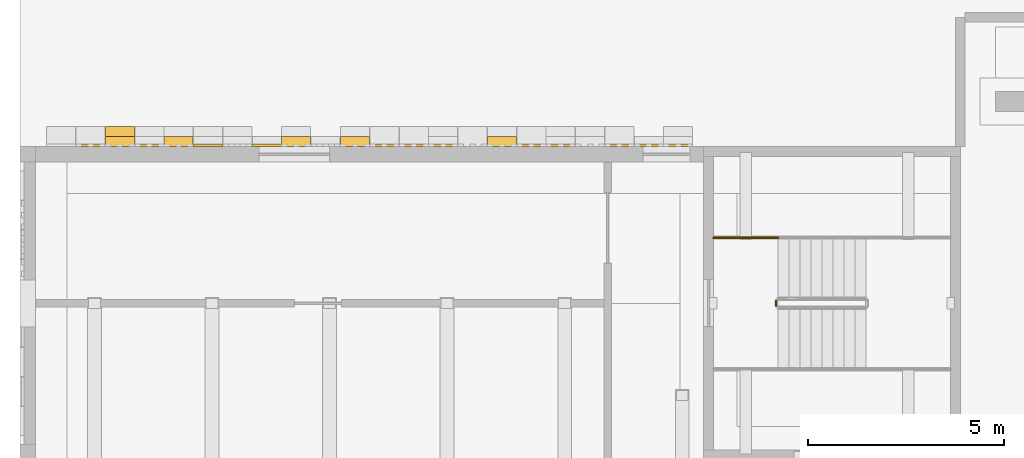
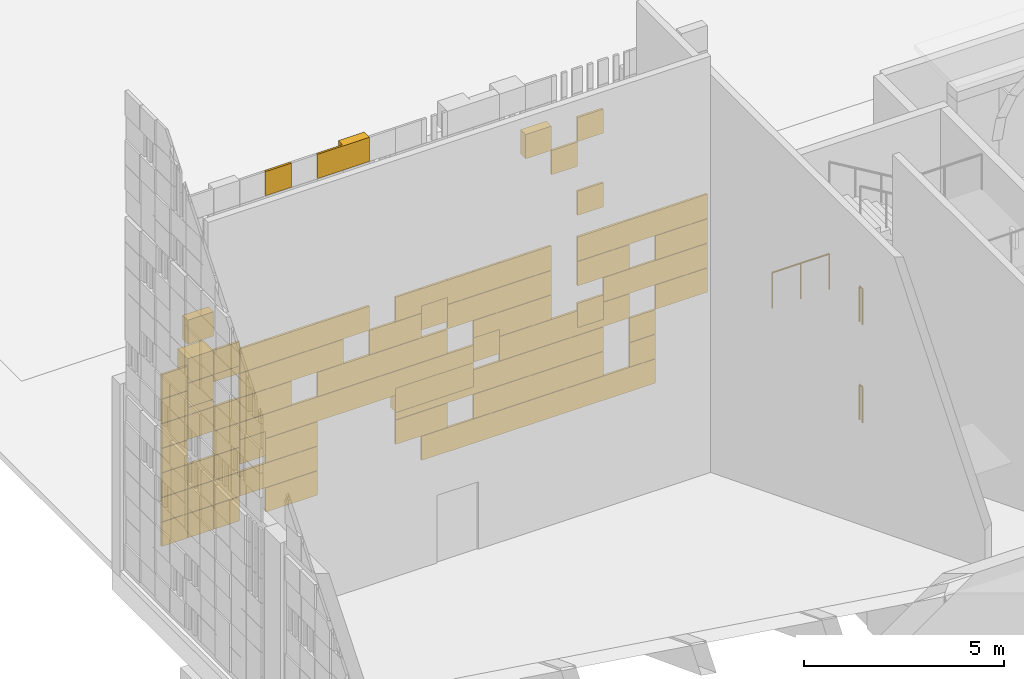
# One storey, part 116 of 125: 3 railings, 2 coverings.
"""IFC4 building model written with IfcOpenShell, lengths in metres."""

from ifc_helpers import new_model, si_unit, direction, frame, origin, origin_2d, place, context, subcontext, project, spatial, rectangle, circle, extrude, material, layer, layer_set, type_object, element, save


model = new_model("IFC4")

# Units and contexts
model_context = context("Model", 3, precision=1e-05, world=origin(), true_north=direction((0.0, 1.0)))
body_context = subcontext(model_context, "Body", "Model", "MODEL_VIEW")
ifc_project = project(units=[si_unit("LENGTHUNIT", "METRE"), si_unit("AREAUNIT", "SQUARE_METRE"), si_unit("VOLUMEUNIT", "CUBIC_METRE"), si_unit("PLANEANGLEUNIT", "RADIAN"), si_unit("MASSUNIT", "GRAM", prefix="KILO")], contexts=[model_context])

# Site, building, storey
site_placement = place(None, origin())
site = spatial("IfcSite", under=ifc_project, at=site_placement, CompositionType="ELEMENT")
building_placement = place(site_placement, origin())
building = spatial("IfcBuilding", under=site, at=building_placement, Name="Sun Court Science Centre", CompositionType="ELEMENT")
storey_placement = place(building_placement, origin())
storey = spatial("IfcBuildingStorey", under=building, at=storey_placement, Name="L00", CompositionType="ELEMENT", Elevation=0.0)

# Railings
ifc_material_1 = material(Name="Steel S275", Category="steel")
railing_type = type_object("IfcRailingType", Name="Guard 1100 steel balustrade", PredefinedType="GUARDRAIL", material=ifc_material_1)
railing_1_placement = place(storey_placement, frame((19.298095703125, 67.925048828125, 3.0)))
element("IfcRailing", 1, at=railing_1_placement, inside=storey, type_object=railing_type, Name="L00 ST2 stair guard 6", PredefinedType="GUARDRAIL", context=body_context, shape_type="SweptSolid", body=[
    extrude(circle(Radius=0.02392578125, at=origin_2d()), frame((0.0, 0.0, 1.076171875), z_axis=(0.0, 1.0, 0.0), x_axis=(-1.0, 0.0, 0.0)), (0.0, 0.0, 1.0), 0.14990234375),
    extrude(circle(Radius=0.02099609375, at=origin_2d()), origin(), (0.0, 0.0, 1.0), 1.052001953125),
    extrude(circle(Radius=0.02099609375, at=origin_2d()), frame((0.0, 0.14990234375, 0.0)), (0.0, 0.0, 1.0), 1.052001953125),
])
railing_2_placement = place(storey_placement, frame((17.699951171875, 69.673095703125, 3.0)))
element("IfcRailing", 2, at=railing_2_placement, inside=storey, type_object=railing_type, Name="L00 ST2 stair guard 8", PredefinedType="GUARDRAIL", context=body_context, shape_type="SweptSolid", body=[
    extrude(circle(Radius=0.02392578125, at=origin_2d()), frame((0.0, 0.0, 1.076171875), z_axis=(1.0, 0.0, 0.0), x_axis=(0.0, 1.0, 0.0)), (0.0, 0.0, 1.0), 1.64794921875),
    extrude(circle(Radius=0.02099609375, at=origin_2d()), origin(), (0.0, 0.0, 1.0), 1.052001953125),
    extrude(circle(Radius=0.02099609375, at=origin_2d()), frame((0.823974609375, 0.0, 0.0)), (0.0, 0.0, 1.0), 1.052001953125),
    extrude(circle(Radius=0.02099609375, at=origin_2d()), frame((1.64794921875, 0.0, 0.0)), (0.0, 0.0, 1.0), 1.052001953125),
])
railing_3_placement = place(storey_placement, frame((19.298095703125, 67.925048828125, 0.0)))
element("IfcRailing", 3, at=railing_3_placement, inside=storey, type_object=railing_type, Name="L00 ST2 stair guard 14", PredefinedType="GUARDRAIL", context=body_context, shape_type="SweptSolid", body=[
    extrude(circle(Radius=0.02392578125, at=origin_2d()), frame((0.0, 0.0, 1.076171875), z_axis=(0.0, 1.0, 0.0), x_axis=(-1.0, 0.0, 0.0)), (0.0, 0.0, 1.0), 0.14990234375),
    extrude(circle(Radius=0.02099609375, at=origin_2d()), origin(), (0.0, 0.0, 1.0), 1.052001953125),
    extrude(circle(Radius=0.02099609375, at=origin_2d()), frame((0.0, 0.14990234375, 0.0)), (0.0, 0.0, 1.0), 1.052001953125),
])

# Coverings
ifc_material_2 = material(Name="Red sandstone", Category="masonry")
ifc_layer_1 = layer(ifc_material_2, 0.06005859375)
ifc_layer_set_1 = layer_set([ifc_layer_1], Name="Red sandstone")
covering_type_1 = type_object("IfcCoveringType", Name="Red sandstone wall cladding 750", PredefinedType="CLADDING", material=ifc_layer_set_1)
covering_1_placement = place(storey_placement, origin())
element("IfcCovering", 4, at=covering_1_placement, inside=storey, type_object=covering_type_1, Name="Red sandstone wall cladding theatre-STAGE-north face-L00 L00", PredefinedType="CLADDING", context=body_context, shape_type="SweptSolid", body=[
    extrude(rectangle(XDim=0.739990234375, YDim=0.06005859375, at=origin_2d()), frame((1.800048828125, 72.030029296875, 0.0048828125), z_axis=(0.0, 0.0, 1.0), x_axis=(1.0, 0.0, 0.0)), (0.0, 0.0, 1.0), 0.739990234375),
    extrude(rectangle(XDim=0.739990234375, YDim=0.06005859375, at=origin_2d()), frame((2.550048828125, 72.030029296875, 0.0048828125), z_axis=(0.0, 0.0, 1.0), x_axis=(1.0, 0.0, 0.0)), (0.0, 0.0, 1.0), 0.739990234375),
    extrude(rectangle(XDim=0.739990234375, YDim=0.06005859375, at=origin_2d()), frame((3.300048828125, 72.030029296875, 0.0048828125), z_axis=(0.0, 0.0, 1.0), x_axis=(1.0, 0.0, 0.0)), (0.0, 0.0, 1.0), 0.739990234375),
    extrude(rectangle(XDim=0.739990234375, YDim=0.06005859375, at=origin_2d()), frame((4.800048828125, 72.030029296875, 0.0048828125), z_axis=(0.0, 0.0, 1.0), x_axis=(1.0, 0.0, 0.0)), (0.0, 0.0, 1.0), 0.739990234375),
    extrude(rectangle(XDim=0.739990234375, YDim=0.06005859375, at=origin_2d()), frame((5.550048828125, 72.030029296875, 0.0048828125), z_axis=(0.0, 0.0, 1.0), x_axis=(1.0, 0.0, 0.0)), (0.0, 0.0, 1.0), 0.739990234375),
    extrude(rectangle(XDim=0.739990234375, YDim=0.06005859375, at=origin_2d()), frame((9.300048828125, 72.030029296875, 0.0048828125), z_axis=(0.0, 0.0, 1.0), x_axis=(1.0, 0.0, 0.0)), (0.0, 0.0, 1.0), 0.739990234375),
    extrude(rectangle(XDim=0.739990234375, YDim=0.06005859375, at=origin_2d()), frame((10.050048828125, 72.030029296875, 0.0048828125), z_axis=(0.0, 0.0, 1.0), x_axis=(1.0, 0.0, 0.0)), (0.0, 0.0, 1.0), 0.739990234375),
    extrude(rectangle(XDim=0.739990234375, YDim=0.06005859375, at=origin_2d()), frame((10.800048828125, 72.030029296875, 0.0048828125), z_axis=(0.0, 0.0, 1.0), x_axis=(1.0, 0.0, 0.0)), (0.0, 0.0, 1.0), 0.739990234375),
    extrude(rectangle(XDim=0.739990234375, YDim=0.06005859375, at=origin_2d()), frame((11.550048828125, 72.030029296875, 0.0048828125), z_axis=(0.0, 0.0, 1.0), x_axis=(1.0, 0.0, 0.0)), (0.0, 0.0, 1.0), 0.739990234375),
    extrude(rectangle(XDim=0.739990234375, YDim=0.06005859375, at=origin_2d()), frame((12.300048828125, 72.030029296875, 0.0048828125), z_axis=(0.0, 0.0, 1.0), x_axis=(1.0, 0.0, 0.0)), (0.0, 0.0, 1.0), 0.739990234375),
    extrude(rectangle(XDim=0.739990234375, YDim=0.06005859375, at=origin_2d()), frame((13.050048828125, 72.030029296875, 0.0048828125), z_axis=(0.0, 0.0, 1.0), x_axis=(1.0, 0.0, 0.0)), (0.0, 0.0, 1.0), 0.739990234375),
    extrude(rectangle(XDim=0.739990234375, YDim=0.06005859375, at=origin_2d()), frame((13.800048828125, 72.030029296875, 0.0048828125), z_axis=(0.0, 0.0, 1.0), x_axis=(1.0, 0.0, 0.0)), (0.0, 0.0, 1.0), 0.739990234375),
    extrude(rectangle(XDim=0.739990234375, YDim=0.06005859375, at=origin_2d()), frame((14.550048828125, 72.030029296875, 0.0048828125), z_axis=(0.0, 0.0, 1.0), x_axis=(1.0, 0.0, 0.0)), (0.0, 0.0, 1.0), 0.739990234375),
    extrude(rectangle(XDim=0.739990234375, YDim=0.06005859375, at=origin_2d()), frame((15.300048828125, 72.030029296875, 0.0048828125), z_axis=(0.0, 0.0, 1.0), x_axis=(1.0, 0.0, 0.0)), (0.0, 0.0, 1.0), 0.739990234375),
    extrude(rectangle(XDim=0.739990234375, YDim=0.06005859375, at=origin_2d()), frame((1.800048828125, 72.030029296875, 0.7548828125), z_axis=(0.0, 0.0, 1.0), x_axis=(1.0, 0.0, 0.0)), (0.0, 0.0, 1.0), 0.739990234375),
    extrude(rectangle(XDim=0.739990234375, YDim=0.06005859375, at=origin_2d()), frame((2.550048828125, 72.030029296875, 0.7548828125), z_axis=(0.0, 0.0, 1.0), x_axis=(1.0, 0.0, 0.0)), (0.0, 0.0, 1.0), 0.739990234375),
    extrude(rectangle(XDim=0.739990234375, YDim=0.06005859375, at=origin_2d()), frame((3.300048828125, 72.030029296875, 0.7548828125), z_axis=(0.0, 0.0, 1.0), x_axis=(1.0, 0.0, 0.0)), (0.0, 0.0, 1.0), 0.739990234375),
    extrude(rectangle(XDim=0.739990234375, YDim=0.06005859375, at=origin_2d()), frame((4.050048828125, 72.030029296875, 0.7548828125), z_axis=(0.0, 0.0, 1.0), x_axis=(1.0, 0.0, 0.0)), (0.0, 0.0, 1.0), 0.739990234375),
    extrude(rectangle(XDim=0.739990234375, YDim=0.06005859375, at=origin_2d()), frame((4.800048828125, 72.030029296875, 0.7548828125), z_axis=(0.0, 0.0, 1.0), x_axis=(1.0, 0.0, 0.0)), (0.0, 0.0, 1.0), 0.739990234375),
    extrude(rectangle(XDim=0.739990234375, YDim=0.06005859375, at=origin_2d()), frame((5.550048828125, 72.030029296875, 0.7548828125), z_axis=(0.0, 0.0, 1.0), x_axis=(1.0, 0.0, 0.0)), (0.0, 0.0, 1.0), 0.739990234375),
    extrude(rectangle(XDim=0.739990234375, YDim=0.06005859375, at=origin_2d()), frame((8.550048828125, 72.030029296875, 0.7548828125), z_axis=(0.0, 0.0, 1.0), x_axis=(1.0, 0.0, 0.0)), (0.0, 0.0, 1.0), 0.739990234375),
    extrude(rectangle(XDim=0.739990234375, YDim=0.06005859375, at=origin_2d()), frame((9.300048828125, 72.030029296875, 0.7548828125), z_axis=(0.0, 0.0, 1.0), x_axis=(1.0, 0.0, 0.0)), (0.0, 0.0, 1.0), 0.739990234375),
    extrude(rectangle(XDim=0.739990234375, YDim=0.06005859375, at=origin_2d()), frame((10.800048828125, 72.030029296875, 0.7548828125), z_axis=(0.0, 0.0, 1.0), x_axis=(1.0, 0.0, 0.0)), (0.0, 0.0, 1.0), 0.739990234375),
    extrude(rectangle(XDim=0.739990234375, YDim=0.06005859375, at=origin_2d()), frame((11.550048828125, 72.030029296875, 0.7548828125), z_axis=(0.0, 0.0, 1.0), x_axis=(1.0, 0.0, 0.0)), (0.0, 0.0, 1.0), 0.739990234375),
    extrude(rectangle(XDim=0.739990234375, YDim=0.06005859375, at=origin_2d()), frame((12.300048828125, 72.030029296875, 0.7548828125), z_axis=(0.0, 0.0, 1.0), x_axis=(1.0, 0.0, 0.0)), (0.0, 0.0, 1.0), 0.739990234375),
    extrude(rectangle(XDim=0.739990234375, YDim=0.06005859375, at=origin_2d()), frame((13.050048828125, 72.030029296875, 0.7548828125), z_axis=(0.0, 0.0, 1.0), x_axis=(1.0, 0.0, 0.0)), (0.0, 0.0, 1.0), 0.739990234375),
    extrude(rectangle(XDim=0.739990234375, YDim=0.06005859375, at=origin_2d()), frame((13.800048828125, 72.030029296875, 0.7548828125), z_axis=(0.0, 0.0, 1.0), x_axis=(1.0, 0.0, 0.0)), (0.0, 0.0, 1.0), 0.739990234375),
    extrude(rectangle(XDim=0.739990234375, YDim=0.06005859375, at=origin_2d()), frame((15.300048828125, 72.030029296875, 0.7548828125), z_axis=(0.0, 0.0, 1.0), x_axis=(1.0, 0.0, 0.0)), (0.0, 0.0, 1.0), 0.739990234375),
    extrude(rectangle(XDim=0.739990234375, YDim=0.06005859375, at=origin_2d()), frame((1.800048828125, 72.030029296875, 1.5048828125), z_axis=(0.0, 0.0, 1.0), x_axis=(1.0, 0.0, 0.0)), (0.0, 0.0, 1.0), 0.739990234375),
    extrude(rectangle(XDim=0.739990234375, YDim=0.06005859375, at=origin_2d()), frame((2.550048828125, 72.030029296875, 1.5048828125), z_axis=(0.0, 0.0, 1.0), x_axis=(1.0, 0.0, 0.0)), (0.0, 0.0, 1.0), 0.739990234375),
    extrude(rectangle(XDim=0.739990234375, YDim=0.06005859375, at=origin_2d()), frame((3.300048828125, 72.030029296875, 1.5048828125), z_axis=(0.0, 0.0, 1.0), x_axis=(1.0, 0.0, 0.0)), (0.0, 0.0, 1.0), 0.739990234375),
    extrude(rectangle(XDim=0.739990234375, YDim=0.06005859375, at=origin_2d()), frame((4.800048828125, 72.030029296875, 1.5048828125), z_axis=(0.0, 0.0, 1.0), x_axis=(1.0, 0.0, 0.0)), (0.0, 0.0, 1.0), 0.739990234375),
    extrude(rectangle(XDim=0.739990234375, YDim=0.06005859375, at=origin_2d()), frame((5.550048828125, 72.030029296875, 1.5048828125), z_axis=(0.0, 0.0, 1.0), x_axis=(1.0, 0.0, 0.0)), (0.0, 0.0, 1.0), 0.739990234375),
    extrude(rectangle(XDim=0.739990234375, YDim=0.06005859375, at=origin_2d()), frame((8.550048828125, 72.030029296875, 1.5048828125), z_axis=(0.0, 0.0, 1.0), x_axis=(1.0, 0.0, 0.0)), (0.0, 0.0, 1.0), 0.739990234375),
    extrude(rectangle(XDim=0.739990234375, YDim=0.06005859375, at=origin_2d()), frame((9.300048828125, 72.030029296875, 1.5048828125), z_axis=(0.0, 0.0, 1.0), x_axis=(1.0, 0.0, 0.0)), (0.0, 0.0, 1.0), 0.739990234375),
    extrude(rectangle(XDim=0.739990234375, YDim=0.06005859375, at=origin_2d()), frame((10.050048828125, 72.030029296875, 1.5048828125), z_axis=(0.0, 0.0, 1.0), x_axis=(1.0, 0.0, 0.0)), (0.0, 0.0, 1.0), 0.739990234375),
    extrude(rectangle(XDim=0.739990234375, YDim=0.06005859375, at=origin_2d()), frame((10.800048828125, 72.030029296875, 1.5048828125), z_axis=(0.0, 0.0, 1.0), x_axis=(1.0, 0.0, 0.0)), (0.0, 0.0, 1.0), 0.739990234375),
    extrude(rectangle(XDim=0.739990234375, YDim=0.06005859375, at=origin_2d()), frame((11.550048828125, 72.030029296875, 1.5048828125), z_axis=(0.0, 0.0, 1.0), x_axis=(1.0, 0.0, 0.0)), (0.0, 0.0, 1.0), 0.739990234375),
    extrude(rectangle(XDim=0.739990234375, YDim=0.06005859375, at=origin_2d()), frame((12.300048828125, 72.030029296875, 1.5048828125), z_axis=(0.0, 0.0, 1.0), x_axis=(1.0, 0.0, 0.0)), (0.0, 0.0, 1.0), 0.739990234375),
    extrude(rectangle(XDim=0.739990234375, YDim=0.06005859375, at=origin_2d()), frame((13.050048828125, 72.030029296875, 1.5048828125), z_axis=(0.0, 0.0, 1.0), x_axis=(1.0, 0.0, 0.0)), (0.0, 0.0, 1.0), 0.739990234375),
    extrude(rectangle(XDim=0.739990234375, YDim=0.06005859375, at=origin_2d()), frame((13.800048828125, 72.030029296875, 1.5048828125), z_axis=(0.0, 0.0, 1.0), x_axis=(1.0, 0.0, 0.0)), (0.0, 0.0, 1.0), 0.739990234375),
    extrude(rectangle(XDim=0.739990234375, YDim=0.06005859375, at=origin_2d()), frame((15.300048828125, 72.030029296875, 1.5048828125), z_axis=(0.0, 0.0, 1.0), x_axis=(1.0, 0.0, 0.0)), (0.0, 0.0, 1.0), 0.739990234375),
    extrude(rectangle(XDim=0.739990234375, YDim=0.06005859375, at=origin_2d()), frame((1.800048828125, 72.030029296875, 2.2548828125), z_axis=(0.0, 0.0, 1.0), x_axis=(1.0, 0.0, 0.0)), (0.0, 0.0, 1.0), 0.739990234375),
    extrude(rectangle(XDim=0.739990234375, YDim=0.06005859375, at=origin_2d()), frame((3.300048828125, 72.030029296875, 2.2548828125), z_axis=(0.0, 0.0, 1.0), x_axis=(1.0, 0.0, 0.0)), (0.0, 0.0, 1.0), 0.739990234375),
    extrude(rectangle(XDim=0.739990234375, YDim=0.06005859375, at=origin_2d()), frame((4.050048828125, 72.030029296875, 2.2548828125), z_axis=(0.0, 0.0, 1.0), x_axis=(1.0, 0.0, 0.0)), (0.0, 0.0, 1.0), 0.739990234375),
    extrude(rectangle(XDim=0.739990234375, YDim=0.06005859375, at=origin_2d()), frame((4.800048828125, 72.030029296875, 2.2548828125), z_axis=(0.0, 0.0, 1.0), x_axis=(1.0, 0.0, 0.0)), (0.0, 0.0, 1.0), 0.739990234375),
    extrude(rectangle(XDim=0.739990234375, YDim=0.06005859375, at=origin_2d()), frame((5.550048828125, 72.030029296875, 2.2548828125), z_axis=(0.0, 0.0, 1.0), x_axis=(1.0, 0.0, 0.0)), (0.0, 0.0, 1.0), 0.739990234375),
    extrude(rectangle(XDim=0.739990234375, YDim=0.06005859375, at=origin_2d()), frame((6.300048828125, 72.030029296875, 2.2548828125), z_axis=(0.0, 0.0, 1.0), x_axis=(1.0, 0.0, 0.0)), (0.0, 0.0, 1.0), 0.739990234375),
    extrude(rectangle(XDim=0.739990234375, YDim=0.06005859375, at=origin_2d()), frame((7.050048828125, 72.030029296875, 2.2548828125), z_axis=(0.0, 0.0, 1.0), x_axis=(1.0, 0.0, 0.0)), (0.0, 0.0, 1.0), 0.739990234375),
    extrude(rectangle(XDim=0.739990234375, YDim=0.06005859375, at=origin_2d()), frame((7.800048828125, 72.030029296875, 2.2548828125), z_axis=(0.0, 0.0, 1.0), x_axis=(1.0, 0.0, 0.0)), (0.0, 0.0, 1.0), 0.739990234375),
    extrude(rectangle(XDim=0.739990234375, YDim=0.06005859375, at=origin_2d()), frame((8.550048828125, 72.030029296875, 2.2548828125), z_axis=(0.0, 0.0, 1.0), x_axis=(1.0, 0.0, 0.0)), (0.0, 0.0, 1.0), 0.739990234375),
    extrude(rectangle(XDim=0.739990234375, YDim=0.06005859375, at=origin_2d()), frame((9.300048828125, 72.030029296875, 2.2548828125), z_axis=(0.0, 0.0, 1.0), x_axis=(1.0, 0.0, 0.0)), (0.0, 0.0, 1.0), 0.739990234375),
    extrude(rectangle(XDim=0.739990234375, YDim=0.06005859375, at=origin_2d()), frame((10.050048828125, 72.030029296875, 2.2548828125), z_axis=(0.0, 0.0, 1.0), x_axis=(1.0, 0.0, 0.0)), (0.0, 0.0, 1.0), 0.739990234375),
    extrude(rectangle(XDim=0.739990234375, YDim=0.06005859375, at=origin_2d()), frame((11.550048828125, 72.030029296875, 2.2548828125), z_axis=(0.0, 0.0, 1.0), x_axis=(1.0, 0.0, 0.0)), (0.0, 0.0, 1.0), 0.739990234375),
    extrude(rectangle(XDim=0.739990234375, YDim=0.06005859375, at=origin_2d()), frame((12.300048828125, 72.030029296875, 2.2548828125), z_axis=(0.0, 0.0, 1.0), x_axis=(1.0, 0.0, 0.0)), (0.0, 0.0, 1.0), 0.739990234375),
    extrude(rectangle(XDim=0.739990234375, YDim=0.06005859375, at=origin_2d()), frame((13.050048828125, 72.030029296875, 2.2548828125), z_axis=(0.0, 0.0, 1.0), x_axis=(1.0, 0.0, 0.0)), (0.0, 0.0, 1.0), 0.739990234375),
    extrude(rectangle(XDim=0.739990234375, YDim=0.06005859375, at=origin_2d()), frame((13.800048828125, 72.030029296875, 2.2548828125), z_axis=(0.0, 0.0, 1.0), x_axis=(1.0, 0.0, 0.0)), (0.0, 0.0, 1.0), 0.739990234375),
    extrude(rectangle(XDim=0.739990234375, YDim=0.06005859375, at=origin_2d()), frame((14.550048828125, 72.030029296875, 2.2548828125), z_axis=(0.0, 0.0, 1.0), x_axis=(1.0, 0.0, 0.0)), (0.0, 0.0, 1.0), 0.739990234375),
    extrude(rectangle(XDim=0.739990234375, YDim=0.06005859375, at=origin_2d()), frame((16.050048828125, 72.030029296875, 2.2548828125), z_axis=(0.0, 0.0, 1.0), x_axis=(1.0, 0.0, 0.0)), (0.0, 0.0, 1.0), 0.739990234375),
    extrude(rectangle(XDim=0.739990234375, YDim=0.06005859375, at=origin_2d()), frame((16.800048828125, 72.030029296875, 2.2548828125), z_axis=(0.0, 0.0, 1.0), x_axis=(1.0, 0.0, 0.0)), (0.0, 0.0, 1.0), 0.739990234375),
    extrude(rectangle(XDim=0.739990234375, YDim=0.06005859375, at=origin_2d()), frame((1.800048828125, 72.030029296875, 3.0048828125), z_axis=(0.0, 0.0, 1.0), x_axis=(1.0, 0.0, 0.0)), (0.0, 0.0, 1.0), 0.739990234375),
    extrude(rectangle(XDim=0.739990234375, YDim=0.06005859375, at=origin_2d()), frame((2.550048828125, 72.030029296875, 3.0048828125), z_axis=(0.0, 0.0, 1.0), x_axis=(1.0, 0.0, 0.0)), (0.0, 0.0, 1.0), 0.739990234375),
    extrude(rectangle(XDim=0.739990234375, YDim=0.06005859375, at=origin_2d()), frame((3.300048828125, 72.030029296875, 3.0048828125), z_axis=(0.0, 0.0, 1.0), x_axis=(1.0, 0.0, 0.0)), (0.0, 0.0, 1.0), 0.739990234375),
    extrude(rectangle(XDim=0.739990234375, YDim=0.06005859375, at=origin_2d()), frame((4.050048828125, 72.030029296875, 3.0048828125), z_axis=(0.0, 0.0, 1.0), x_axis=(1.0, 0.0, 0.0)), (0.0, 0.0, 1.0), 0.739990234375),
    extrude(rectangle(XDim=0.739990234375, YDim=0.06005859375, at=origin_2d()), frame((4.800048828125, 72.030029296875, 3.0048828125), z_axis=(0.0, 0.0, 1.0), x_axis=(1.0, 0.0, 0.0)), (0.0, 0.0, 1.0), 0.739990234375),
    extrude(rectangle(XDim=0.739990234375, YDim=0.06005859375, at=origin_2d()), frame((6.300048828125, 72.030029296875, 3.0048828125), z_axis=(0.0, 0.0, 1.0), x_axis=(1.0, 0.0, 0.0)), (0.0, 0.0, 1.0), 0.739990234375),
    extrude(rectangle(XDim=0.739990234375, YDim=0.06005859375, at=origin_2d()), frame((7.050048828125, 72.030029296875, 3.0048828125), z_axis=(0.0, 0.0, 1.0), x_axis=(1.0, 0.0, 0.0)), (0.0, 0.0, 1.0), 0.739990234375),
    extrude(rectangle(XDim=0.739990234375, YDim=0.06005859375, at=origin_2d()), frame((7.800048828125, 72.030029296875, 3.0048828125), z_axis=(0.0, 0.0, 1.0), x_axis=(1.0, 0.0, 0.0)), (0.0, 0.0, 1.0), 0.739990234375),
    extrude(rectangle(XDim=0.739990234375, YDim=0.06005859375, at=origin_2d()), frame((8.550048828125, 72.030029296875, 3.0048828125), z_axis=(0.0, 0.0, 1.0), x_axis=(1.0, 0.0, 0.0)), (0.0, 0.0, 1.0), 0.739990234375),
    extrude(rectangle(XDim=0.739990234375, YDim=0.06005859375, at=origin_2d()), frame((9.300048828125, 72.030029296875, 3.0048828125), z_axis=(0.0, 0.0, 1.0), x_axis=(1.0, 0.0, 0.0)), (0.0, 0.0, 1.0), 0.739990234375),
    extrude(rectangle(XDim=0.739990234375, YDim=0.06005859375, at=origin_2d()), frame((10.800048828125, 72.030029296875, 3.0048828125), z_axis=(0.0, 0.0, 1.0), x_axis=(1.0, 0.0, 0.0)), (0.0, 0.0, 1.0), 0.739990234375),
    extrude(rectangle(XDim=0.739990234375, YDim=0.06005859375, at=origin_2d()), frame((11.550048828125, 72.030029296875, 3.0048828125), z_axis=(0.0, 0.0, 1.0), x_axis=(1.0, 0.0, 0.0)), (0.0, 0.0, 1.0), 0.739990234375),
    extrude(rectangle(XDim=0.739990234375, YDim=0.06005859375, at=origin_2d()), frame((12.300048828125, 72.030029296875, 3.0048828125), z_axis=(0.0, 0.0, 1.0), x_axis=(1.0, 0.0, 0.0)), (0.0, 0.0, 1.0), 0.739990234375),
    extrude(rectangle(XDim=0.739990234375, YDim=0.06005859375, at=origin_2d()), frame((14.550048828125, 72.030029296875, 3.0048828125), z_axis=(0.0, 0.0, 1.0), x_axis=(1.0, 0.0, 0.0)), (0.0, 0.0, 1.0), 0.739990234375),
    extrude(rectangle(XDim=0.739990234375, YDim=0.06005859375, at=origin_2d()), frame((15.300048828125, 72.030029296875, 3.0048828125), z_axis=(0.0, 0.0, 1.0), x_axis=(1.0, 0.0, 0.0)), (0.0, 0.0, 1.0), 0.739990234375),
    extrude(rectangle(XDim=0.739990234375, YDim=0.06005859375, at=origin_2d()), frame((16.050048828125, 72.030029296875, 3.0048828125), z_axis=(0.0, 0.0, 1.0), x_axis=(1.0, 0.0, 0.0)), (0.0, 0.0, 1.0), 0.739990234375),
    extrude(rectangle(XDim=0.739990234375, YDim=0.06005859375, at=origin_2d()), frame((16.800048828125, 72.030029296875, 3.0048828125), z_axis=(0.0, 0.0, 1.0), x_axis=(1.0, 0.0, 0.0)), (0.0, 0.0, 1.0), 0.739990234375),
    extrude(rectangle(XDim=0.739990234375, YDim=0.06005859375, at=origin_2d()), frame((1.800048828125, 72.030029296875, 3.7548828125), z_axis=(0.0, 0.0, 1.0), x_axis=(1.0, 0.0, 0.0)), (0.0, 0.0, 1.0), 0.739990234375),
    extrude(rectangle(XDim=0.739990234375, YDim=0.06005859375, at=origin_2d()), frame((2.550048828125, 72.030029296875, 3.7548828125), z_axis=(0.0, 0.0, 1.0), x_axis=(1.0, 0.0, 0.0)), (0.0, 0.0, 1.0), 0.739990234375),
    extrude(rectangle(XDim=0.739990234375, YDim=0.06005859375, at=origin_2d()), frame((4.050048828125, 72.030029296875, 3.7548828125), z_axis=(0.0, 0.0, 1.0), x_axis=(1.0, 0.0, 0.0)), (0.0, 0.0, 1.0), 0.739990234375),
    extrude(rectangle(XDim=0.739990234375, YDim=0.06005859375, at=origin_2d()), frame((4.800048828125, 72.030029296875, 3.7548828125), z_axis=(0.0, 0.0, 1.0), x_axis=(1.0, 0.0, 0.0)), (0.0, 0.0, 1.0), 0.739990234375),
    extrude(rectangle(XDim=0.739990234375, YDim=0.06005859375, at=origin_2d()), frame((5.550048828125, 72.030029296875, 3.7548828125), z_axis=(0.0, 0.0, 1.0), x_axis=(1.0, 0.0, 0.0)), (0.0, 0.0, 1.0), 0.739990234375),
    extrude(rectangle(XDim=0.739990234375, YDim=0.06005859375, at=origin_2d()), frame((6.300048828125, 72.030029296875, 3.7548828125), z_axis=(0.0, 0.0, 1.0), x_axis=(1.0, 0.0, 0.0)), (0.0, 0.0, 1.0), 0.739990234375),
    extrude(rectangle(XDim=0.739990234375, YDim=0.06005859375, at=origin_2d()), frame((7.800048828125, 72.030029296875, 3.7548828125), z_axis=(0.0, 0.0, 1.0), x_axis=(1.0, 0.0, 0.0)), (0.0, 0.0, 1.0), 0.739990234375),
    extrude(rectangle(XDim=0.739990234375, YDim=0.06005859375, at=origin_2d()), frame((8.550048828125, 72.030029296875, 3.7548828125), z_axis=(0.0, 0.0, 1.0), x_axis=(1.0, 0.0, 0.0)), (0.0, 0.0, 1.0), 0.739990234375),
    extrude(rectangle(XDim=0.739990234375, YDim=0.06005859375, at=origin_2d()), frame((10.050048828125, 72.030029296875, 3.7548828125), z_axis=(0.0, 0.0, 1.0), x_axis=(1.0, 0.0, 0.0)), (0.0, 0.0, 1.0), 0.739990234375),
    extrude(rectangle(XDim=0.739990234375, YDim=0.06005859375, at=origin_2d()), frame((10.800048828125, 72.030029296875, 3.7548828125), z_axis=(0.0, 0.0, 1.0), x_axis=(1.0, 0.0, 0.0)), (0.0, 0.0, 1.0), 0.739990234375),
    extrude(rectangle(XDim=0.739990234375, YDim=0.06005859375, at=origin_2d()), frame((11.550048828125, 72.030029296875, 3.7548828125), z_axis=(0.0, 0.0, 1.0), x_axis=(1.0, 0.0, 0.0)), (0.0, 0.0, 1.0), 0.739990234375),
    extrude(rectangle(XDim=0.739990234375, YDim=0.06005859375, at=origin_2d()), frame((12.300048828125, 72.030029296875, 3.7548828125), z_axis=(0.0, 0.0, 1.0), x_axis=(1.0, 0.0, 0.0)), (0.0, 0.0, 1.0), 0.739990234375),
    extrude(rectangle(XDim=0.739990234375, YDim=0.06005859375, at=origin_2d()), frame((13.800048828125, 72.030029296875, 3.7548828125), z_axis=(0.0, 0.0, 1.0), x_axis=(1.0, 0.0, 0.0)), (0.0, 0.0, 1.0), 0.739990234375),
    extrude(rectangle(XDim=0.739990234375, YDim=0.06005859375, at=origin_2d()), frame((14.550048828125, 72.030029296875, 3.7548828125), z_axis=(0.0, 0.0, 1.0), x_axis=(1.0, 0.0, 0.0)), (0.0, 0.0, 1.0), 0.739990234375),
    extrude(rectangle(XDim=0.739990234375, YDim=0.06005859375, at=origin_2d()), frame((16.050048828125, 72.030029296875, 3.7548828125), z_axis=(0.0, 0.0, 1.0), x_axis=(1.0, 0.0, 0.0)), (0.0, 0.0, 1.0), 0.739990234375),
    extrude(rectangle(XDim=0.739990234375, YDim=0.06005859375, at=origin_2d()), frame((16.800048828125, 72.030029296875, 3.7548828125), z_axis=(0.0, 0.0, 1.0), x_axis=(1.0, 0.0, 0.0)), (0.0, 0.0, 1.0), 0.739990234375),
    extrude(rectangle(XDim=0.739990234375, YDim=0.06005859375, at=origin_2d()), frame((1.800048828125, 72.030029296875, 4.5048828125), z_axis=(0.0, 0.0, 1.0), x_axis=(1.0, 0.0, 0.0)), (0.0, 0.0, 1.0), 0.739990234375),
    extrude(rectangle(XDim=0.739990234375, YDim=0.06005859375, at=origin_2d()), frame((2.550048828125, 72.030029296875, 4.5048828125), z_axis=(0.0, 0.0, 1.0), x_axis=(1.0, 0.0, 0.0)), (0.0, 0.0, 1.0), 0.739990234375),
    extrude(rectangle(XDim=0.739990234375, YDim=0.06005859375, at=origin_2d()), frame((3.300048828125, 72.030029296875, 4.5048828125), z_axis=(0.0, 0.0, 1.0), x_axis=(1.0, 0.0, 0.0)), (0.0, 0.0, 1.0), 0.739990234375),
    extrude(rectangle(XDim=0.739990234375, YDim=0.06005859375, at=origin_2d()), frame((4.050048828125, 72.030029296875, 4.5048828125), z_axis=(0.0, 0.0, 1.0), x_axis=(1.0, 0.0, 0.0)), (0.0, 0.0, 1.0), 0.739990234375),
    extrude(rectangle(XDim=0.739990234375, YDim=0.06005859375, at=origin_2d()), frame((4.800048828125, 72.030029296875, 4.5048828125), z_axis=(0.0, 0.0, 1.0), x_axis=(1.0, 0.0, 0.0)), (0.0, 0.0, 1.0), 0.739990234375),
    extrude(rectangle(XDim=0.739990234375, YDim=0.06005859375, at=origin_2d()), frame((5.550048828125, 72.030029296875, 4.5048828125), z_axis=(0.0, 0.0, 1.0), x_axis=(1.0, 0.0, 0.0)), (0.0, 0.0, 1.0), 0.739990234375),
    extrude(rectangle(XDim=0.739990234375, YDim=0.06005859375, at=origin_2d()), frame((6.300048828125, 72.030029296875, 4.5048828125), z_axis=(0.0, 0.0, 1.0), x_axis=(1.0, 0.0, 0.0)), (0.0, 0.0, 1.0), 0.739990234375),
    extrude(rectangle(XDim=0.739990234375, YDim=0.06005859375, at=origin_2d()), frame((7.050048828125, 72.030029296875, 4.5048828125), z_axis=(0.0, 0.0, 1.0), x_axis=(1.0, 0.0, 0.0)), (0.0, 0.0, 1.0), 0.739990234375),
    extrude(rectangle(XDim=0.739990234375, YDim=0.06005859375, at=origin_2d()), frame((8.550048828125, 72.030029296875, 4.5048828125), z_axis=(0.0, 0.0, 1.0), x_axis=(1.0, 0.0, 0.0)), (0.0, 0.0, 1.0), 0.739990234375),
    extrude(rectangle(XDim=0.739990234375, YDim=0.06005859375, at=origin_2d()), frame((9.300048828125, 72.030029296875, 4.5048828125), z_axis=(0.0, 0.0, 1.0), x_axis=(1.0, 0.0, 0.0)), (0.0, 0.0, 1.0), 0.739990234375),
    extrude(rectangle(XDim=0.739990234375, YDim=0.06005859375, at=origin_2d()), frame((10.050048828125, 72.030029296875, 4.5048828125), z_axis=(0.0, 0.0, 1.0), x_axis=(1.0, 0.0, 0.0)), (0.0, 0.0, 1.0), 0.739990234375),
    extrude(rectangle(XDim=0.739990234375, YDim=0.06005859375, at=origin_2d()), frame((10.800048828125, 72.030029296875, 4.5048828125), z_axis=(0.0, 0.0, 1.0), x_axis=(1.0, 0.0, 0.0)), (0.0, 0.0, 1.0), 0.739990234375),
    extrude(rectangle(XDim=0.739990234375, YDim=0.06005859375, at=origin_2d()), frame((11.550048828125, 72.030029296875, 4.5048828125), z_axis=(0.0, 0.0, 1.0), x_axis=(1.0, 0.0, 0.0)), (0.0, 0.0, 1.0), 0.739990234375),
    extrude(rectangle(XDim=0.739990234375, YDim=0.06005859375, at=origin_2d()), frame((12.300048828125, 72.030029296875, 4.5048828125), z_axis=(0.0, 0.0, 1.0), x_axis=(1.0, 0.0, 0.0)), (0.0, 0.0, 1.0), 0.739990234375),
    extrude(rectangle(XDim=0.739990234375, YDim=0.06005859375, at=origin_2d()), frame((13.800048828125, 72.030029296875, 4.5048828125), z_axis=(0.0, 0.0, 1.0), x_axis=(1.0, 0.0, 0.0)), (0.0, 0.0, 1.0), 0.739990234375),
    extrude(rectangle(XDim=0.739990234375, YDim=0.06005859375, at=origin_2d()), frame((14.550048828125, 72.030029296875, 4.5048828125), z_axis=(0.0, 0.0, 1.0), x_axis=(1.0, 0.0, 0.0)), (0.0, 0.0, 1.0), 0.739990234375),
    extrude(rectangle(XDim=0.739990234375, YDim=0.06005859375, at=origin_2d()), frame((15.300048828125, 72.030029296875, 4.5048828125), z_axis=(0.0, 0.0, 1.0), x_axis=(1.0, 0.0, 0.0)), (0.0, 0.0, 1.0), 0.739990234375),
    extrude(rectangle(XDim=0.739990234375, YDim=0.06005859375, at=origin_2d()), frame((16.050048828125, 72.030029296875, 4.5048828125), z_axis=(0.0, 0.0, 1.0), x_axis=(1.0, 0.0, 0.0)), (0.0, 0.0, 1.0), 0.739990234375),
    extrude(rectangle(XDim=0.739990234375, YDim=0.06005859375, at=origin_2d()), frame((16.800048828125, 72.030029296875, 4.5048828125), z_axis=(0.0, 0.0, 1.0), x_axis=(1.0, 0.0, 0.0)), (0.0, 0.0, 1.0), 0.739990234375),
])
ifc_material_3 = material(Name="Terracotta shade 5", Category="masonry")
ifc_layer_2 = layer(ifc_material_3, 0.06005859375)
ifc_layer_set_2 = layer_set([ifc_layer_2], Name="Terracotta shade 5")
covering_type_2 = type_object("IfcCoveringType", Name="Terracotta pixel panel shade 5", PredefinedType="CLADDING", material=ifc_layer_set_2)
covering_2_placement = place(storey_placement, origin())
element("IfcCovering", 5, at=covering_2_placement, inside=storey, type_object=covering_type_2, Name="Terracotta pixel cladding shade 5 north wall L00", PredefinedType="CLADDING", context=body_context, shape_type="SweptSolid", body=[
    extrude(rectangle(XDim=0.739990234375, YDim=0.260009765625, at=origin_2d()), frame((4.050048828125, 72.1298828125, 1.72998046875), z_axis=(0.0, 0.0, 1.0), x_axis=(1.0, 0.0, 0.0)), (0.0, 0.0, 1.0), 0.739990234375),
    extrude(rectangle(XDim=0.739990234375, YDim=0.260009765625, at=origin_2d()), frame((8.550048828125, 72.1298828125, 1.72998046875), z_axis=(0.0, 0.0, 1.0), x_axis=(1.0, 0.0, 0.0)), (0.0, 0.0, 1.0), 0.739990234375),
    extrude(rectangle(XDim=0.739990234375, YDim=0.06005859375, at=origin_2d()), frame((9.300048828125, 72.030029296875, 1.72998046875), z_axis=(0.0, 0.0, 1.0), x_axis=(1.0, 0.0, 0.0)), (0.0, 0.0, 1.0), 0.739990234375),
    extrude(rectangle(XDim=0.739990234375, YDim=0.06005859375, at=origin_2d()), frame((10.050048828125, 72.030029296875, 1.72998046875), z_axis=(0.0, 0.0, 1.0), x_axis=(1.0, 0.0, 0.0)), (0.0, 0.0, 1.0), 0.739990234375),
    extrude(rectangle(XDim=0.739990234375, YDim=0.06005859375, at=origin_2d()), frame((10.800048828125, 72.030029296875, 2.47998046875), z_axis=(0.0, 0.0, 1.0), x_axis=(1.0, 0.0, 0.0)), (0.0, 0.0, 1.0), 0.739990234375),
    extrude(rectangle(XDim=0.739990234375, YDim=0.06005859375, at=origin_2d()), frame((13.800048828125, 72.030029296875, 2.47998046875), z_axis=(0.0, 0.0, 1.0), x_axis=(1.0, 0.0, 0.0)), (0.0, 0.0, 1.0), 0.739990234375),
    extrude(rectangle(XDim=0.739990234375, YDim=0.260009765625, at=origin_2d()), frame((2.550048828125, 72.1298828125, 3.97998046875), z_axis=(0.0, 0.0, 1.0), x_axis=(1.0, 0.0, 0.0)), (0.0, 0.0, 1.0), 0.739990234375),
    extrude(rectangle(XDim=0.739990234375, YDim=0.06005859375, at=origin_2d()), frame((9.300048828125, 72.030029296875, 3.97998046875), z_axis=(0.0, 0.0, 1.0), x_axis=(1.0, 0.0, 0.0)), (0.0, 0.0, 1.0), 0.739990234375),
    extrude(rectangle(XDim=0.739990234375, YDim=0.510009765625, at=origin_2d()), frame((2.550048828125, 72.2548828125, 4.72998046875), z_axis=(0.0, 0.0, 1.0), x_axis=(1.0, 0.0, 0.0)), (0.0, 0.0, 1.0), 0.739990234375),
    extrude(rectangle(XDim=0.739990234375, YDim=0.06005859375, at=origin_2d()), frame((3.300048828125, 72.030029296875, 4.72998046875), z_axis=(0.0, 0.0, 1.0), x_axis=(1.0, 0.0, 0.0)), (0.0, 0.0, 1.0), 0.739990234375),
    extrude(rectangle(XDim=0.739990234375, YDim=0.260009765625, at=origin_2d()), frame((2.550048828125, 72.1298828125, 5.90478515625), z_axis=(0.0, 0.0, 1.0), x_axis=(1.0, 0.0, 0.0)), (0.0, 0.0, 1.0), 0.739990234375),
    extrude(rectangle(XDim=0.739990234375, YDim=0.06005859375, at=origin_2d()), frame((13.800048828125, 72.030029296875, 5.90478515625), z_axis=(0.0, 0.0, 1.0), x_axis=(1.0, 0.0, 0.0)), (0.0, 0.0, 1.0), 0.739990234375),
    extrude(rectangle(XDim=0.739990234375, YDim=0.06005859375, at=origin_2d()), frame((13.050048828125, 72.030029296875, 7.40478515625), z_axis=(0.0, 0.0, 1.0), x_axis=(1.0, 0.0, 0.0)), (0.0, 0.0, 1.0), 0.739990234375),
    extrude(rectangle(XDim=0.739990234375, YDim=0.260009765625, at=origin_2d()), frame((12.300048828125, 72.1298828125, 8.15478515625), z_axis=(0.0, 0.0, 1.0), x_axis=(1.0, 0.0, 0.0)), (0.0, 0.0, 1.0), 0.739990234375),
    extrude(rectangle(XDim=0.739990234375, YDim=0.06005859375, at=origin_2d()), frame((13.800048828125, 72.030029296875, 8.15478515625), z_axis=(0.0, 0.0, 1.0), x_axis=(1.0, 0.0, 0.0)), (0.0, 0.0, 1.0), 0.739990234375),
    extrude(rectangle(XDim=0.739990234375, YDim=0.06005859375, at=origin_2d()), frame((4.800048828125, 72.030029296875, 9.65478515625), z_axis=(0.0, 0.0, 1.0), x_axis=(1.0, 0.0, 0.0)), (0.0, 0.0, 1.0), 0.739990234375),
    extrude(rectangle(XDim=0.739990234375, YDim=0.06005859375, at=origin_2d()), frame((6.300048828125, 72.030029296875, 9.65478515625), z_axis=(0.0, 0.0, 1.0), x_axis=(1.0, 0.0, 0.0)), (0.0, 0.0, 1.0), 0.739990234375),
    extrude(rectangle(XDim=0.739990234375, YDim=0.260009765625, at=origin_2d()), frame((7.050048828125, 72.1298828125, 9.65478515625), z_axis=(0.0, 0.0, 1.0), x_axis=(1.0, 0.0, 0.0)), (0.0, 0.0, 1.0), 0.739990234375),
])

save(model, "model.ifc")
